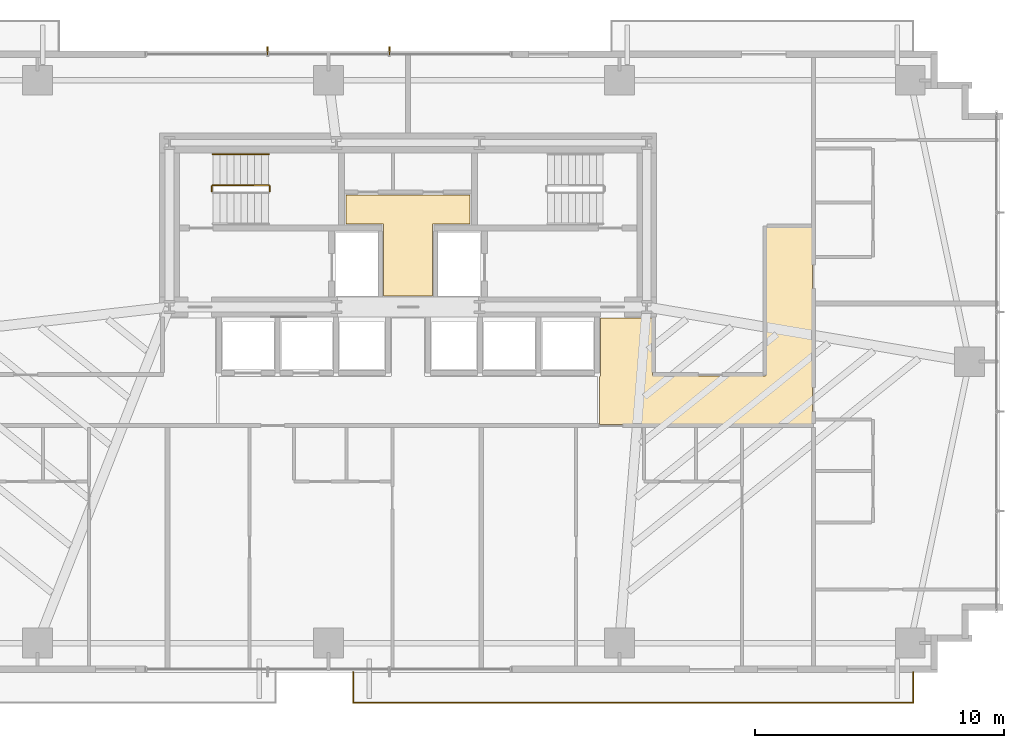
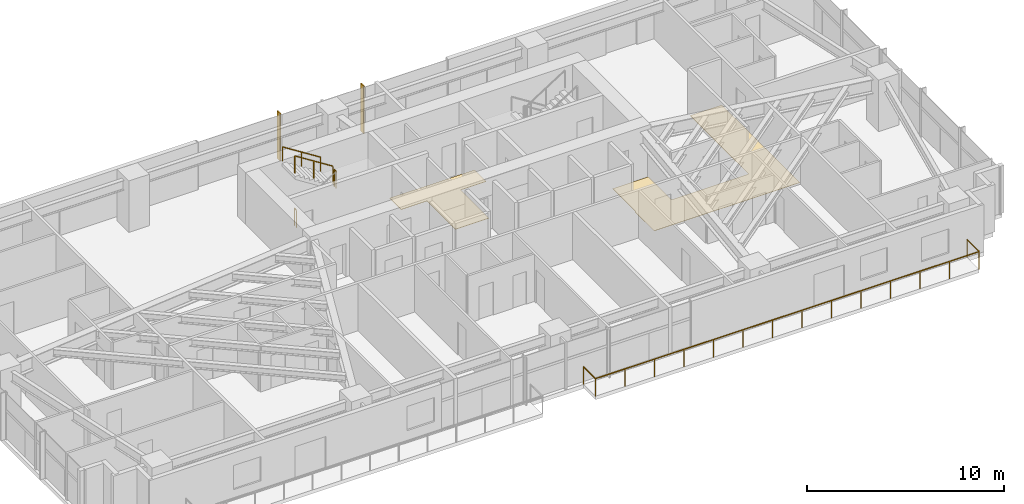
# One storey, part 24 of 25: 5 railings, 2 coverings, 2 shading devices.
"""IFC4 building model written with IfcOpenShell, lengths in metres."""

from ifc_helpers import new_model, si_unit, direction, frame, origin, origin_2d, place, context, subcontext, project, spatial, polyline, rectangle, outline, extrude, source, transform, mapped, material, layer, layer_set, type_object, type_shapes, element, save


model = new_model("IFC4")

# Units and contexts
model_context = context("Model", 3, precision=1e-05, world=origin(), true_north=direction((0.0, 1.0)))
body_context = subcontext(model_context, "Body", "Model", "MODEL_VIEW")
ifc_project = project(units=[si_unit("LENGTHUNIT", "METRE"), si_unit("AREAUNIT", "SQUARE_METRE"), si_unit("VOLUMEUNIT", "CUBIC_METRE"), si_unit("PLANEANGLEUNIT", "RADIAN"), si_unit("MASSUNIT", "GRAM", prefix="KILO")], contexts=[model_context])

# Site, building, storey
site_placement = place(None, origin())
site = spatial("IfcSite", under=ifc_project, at=site_placement, CompositionType="ELEMENT")
building_placement = place(site_placement, origin())
building = spatial("IfcBuilding", under=site, at=building_placement, Name="Astriad Promenade Condominiums", CompositionType="ELEMENT")
storey_placement = place(building_placement, frame((0.0, 0.0, 45.39990234375)))
storey = spatial("IfcBuildingStorey", under=building, at=storey_placement, Name="L12", CompositionType="ELEMENT", Elevation=45.39990234375)

# Coverings
ifc_material_1 = material(Name="Polished Lakefront Terrazzo Flooring")
ifc_layer = layer(ifc_material_1, 0.02001953125)
ifc_layer_set = layer_set([ifc_layer], Name="Polished Lakefront Terrazzo Flooring")
covering_type = type_object("IfcCoveringType", Name="COV-FLOR-TERRAZZO-20", PredefinedType="FLOORING", material=ifc_layer_set)
covering_1_placement = place(storey_placement, origin())
element("IfcCovering", 1, at=covering_1_placement, inside=storey, type_object=covering_type, Name="FLR-L12-CSL", PredefinedType="FLOORING", context=body_context, shape_type="SweptSolid", body=[
    extrude(outline(polyline([(36.97998046875, 20.699951171875), (36.97998046875, 17.840087890625), (35.02001953125, 17.840087890625), (35.02001953125, 20.699951171875), (35.019775390625, 20.703857421875), (35.019287109375, 20.707763671875), (35.018310546875, 20.711669921875), (35.01708984375, 20.71533203125), (35.015380859375, 20.718994140625), (35.01318359375, 20.72216796875), (35.010986328125, 20.725341796875), (35.00830078125, 20.728271484375), (35.00537109375, 20.73095703125), (35.002197265625, 20.7333984375), (34.998779296875, 20.7353515625), (34.995361328125, 20.737060546875), (34.99169921875, 20.73828125), (34.98779296875, 20.7392578125), (34.98388671875, 20.73974609375), (34.97998046875, 20.739990234375), (33.5, 20.739990234375), (33.5, 21.909912109375), (38.5, 21.909912109375), (38.5, 20.739990234375), (37.02001953125, 20.739990234375), (37.01611328125, 20.73974609375), (37.01220703125, 20.7392578125), (37.00830078125, 20.73828125), (37.004638671875, 20.737060546875), (37.001220703125, 20.7353515625), (36.997802734375, 20.7333984375), (36.99462890625, 20.73095703125), (36.99169921875, 20.728271484375), (36.989013671875, 20.725341796875), (36.98681640625, 20.72216796875), (36.984619140625, 20.718994140625), (36.98291015625, 20.71533203125), (36.981689453125, 20.711669921875), (36.980712890625, 20.707763671875), (36.980224609375, 20.703857421875), (36.97998046875, 20.699951171875)])), origin(), (0.0, 0.0, 1.0), 0.02001953125),
])
covering_2_placement = place(storey_placement, origin())
element("IfcCovering", 2, at=covering_2_placement, inside=storey, type_object=covering_type, Name="FLR-L12-COR-1", PredefinedType="FLOORING", context=body_context, shape_type="SweptSolid", body=[
    extrude(outline(polyline([(43.699951171875, 12.669921875), (43.699951171875, 14.610107421875), (43.703857421875, 14.610107421875), (43.707763671875, 14.61083984375), (43.711669921875, 14.61181640625), (43.71533203125, 14.613037109375), (43.718994140625, 14.61474609375), (43.72216796875, 14.61669921875), (43.725341796875, 14.619140625), (43.728271484375, 14.62158203125), (43.73095703125, 14.62451171875), (43.7333984375, 14.627685546875), (43.7353515625, 14.631103515625), (43.737060546875, 14.634765625), (43.73828125, 14.638427734375), (43.7392578125, 14.64208984375), (43.73974609375, 14.64599609375), (43.739990234375, 14.64990234375), (43.739990234375, 16.9599609375), (45.840087890625, 16.9599609375), (45.840087890625, 14.659912109375), (45.840087890625, 14.656005859375), (45.8408203125, 14.652099609375), (45.841796875, 14.6484375), (45.843017578125, 14.644775390625), (45.8447265625, 14.64111328125), (45.8466796875, 14.6376953125), (45.84912109375, 14.634521484375), (45.851806640625, 14.631591796875), (45.8544921875, 14.629150390625), (45.85791015625, 14.626708984375), (45.861083984375, 14.624755859375), (45.86474609375, 14.623046875), (45.868408203125, 14.62158203125), (45.872314453125, 14.620849609375), (45.876220703125, 14.6201171875), (45.8798828125, 14.6201171875), (50.35009765625, 14.6201171875), (50.35400390625, 14.6201171875), (50.35791015625, 14.620849609375), (50.361572265625, 14.62158203125), (50.365234375, 14.623046875), (50.368896484375, 14.624755859375), (50.372314453125, 14.626708984375), (50.37548828125, 14.629150390625), (50.37841796875, 14.631591796875), (50.380859375, 14.634521484375), (50.38330078125, 14.6376953125), (50.38525390625, 14.64111328125), (50.386962890625, 14.644775390625), (50.38818359375, 14.6484375), (50.38916015625, 14.652099609375), (50.389892578125, 14.656005859375), (50.389892578125, 14.659912109375), (50.389892578125, 20.610107421875), (52.260009765625, 20.610107421875), (52.260009765625, 12.669921875), (43.699951171875, 12.669921875)])), origin(), (0.0, 0.0, 1.0), 0.02001953125),
])

# Shading devices
ifc_material_2 = material(Name="Anodised aluminium 6063-T6 Black Fin", Category="aluminium")
shading_device_type = type_object("IfcShadingDeviceType", Name="FIN-BLACK-320", PredefinedType="USERDEFINED", material=ifc_material_2)
shared_shape_1 = source(origin(), body_context, "Body", "SweptSolid", [
    extrude(rectangle(XDim=0.06494140625, YDim=0.320068359375, at=origin_2d()), origin(), (0.0, 0.0, 1.0), 2.93994140625),
])
type_shapes(shading_device_type, [shared_shape_1])
for number, where, z_axis, x_axis, name in (
    (3, (30.35009765625, 27.7099609375, 0.000244140625), (0.0, 0.0, 1.0), (1.0, 0.0, 0.0), "CW-L12-N-FIN-01"),
    (4, (35.25, 27.7099609375, 0.000244140625), (0.0, 0.0, 1.0), (1.0, 0.0, 0.0), "CW-L12-N-FIN-02"),
):
    element("IfcShadingDevice", number, at=place(storey_placement, frame(where, z_axis=z_axis, x_axis=x_axis)), inside=storey, type_object=shading_device_type, Name=name, ObjectType="FIN", PredefinedType="USERDEFINED", context=body_context, shape_type="MappedRepresentation", body=[
        mapped(shared_shape_1, transform((0.0, 0.0, 0.0), scale=1.0)),
    ])

# Railings
ifc_material_3 = material(Name="Laminated Glass and Stainless Steel Balustrade", Category="steel")
railing_type_1 = type_object("IfcRailingType", Name="GRD-BALC-1120", PredefinedType="BALUSTRADE", material=ifc_material_3)
shared_shape_2 = source(origin(), body_context, "Body", "SweptSolid", [
    extrude(rectangle(XDim=0.048095703125, YDim=0.048095703125, at=origin_2d()), frame((0.0, 0.0, 1.09619140625), z_axis=(0.0, -1.0, 0.0), x_axis=(1.0, 0.0, 0.0)), (0.0, 0.0, 1.0), 1.219970703125),
    extrude(rectangle(XDim=0.048095703125, YDim=0.048095703125, at=origin_2d()), frame((0.0, -1.219970703125, 1.09619140625), z_axis=(1.0, 0.0, 0.0), x_axis=(0.0, 1.0, 0.0)), (0.0, 0.0, 1.0), 22.529052734375),
    extrude(rectangle(XDim=0.048095703125, YDim=0.048095703125, at=origin_2d()), frame((22.529052734375, -1.219970703125, 1.09619140625), z_axis=(0.0, 1.0, 0.0), x_axis=(-1.0, 0.0, 0.0)), (0.0, 0.0, 1.0), 1.219970703125),
    extrude(rectangle(XDim=0.0419921875, YDim=0.0419921875, at=origin_2d()), origin(), (0.0, 0.0, 1.0), 1.072021484375),
    extrude(rectangle(XDim=0.0419921875, YDim=0.0419921875, at=origin_2d()), frame((0.0, -1.219970703125, 0.0)), (0.0, 0.0, 1.0), 1.072021484375),
    extrude(rectangle(XDim=0.0419921875, YDim=0.0419921875, at=origin_2d()), frame((1.73291015625, -1.219970703125, 0.0)), (0.0, 0.0, 1.0), 1.072021484375),
    extrude(rectangle(XDim=0.0419921875, YDim=0.0419921875, at=origin_2d()), frame((3.466064453125, -1.219970703125, 0.0)), (0.0, 0.0, 1.0), 1.072021484375),
    extrude(rectangle(XDim=0.0419921875, YDim=0.0419921875, at=origin_2d()), frame((5.198974609375, -1.219970703125, 0.0)), (0.0, 0.0, 1.0), 1.072021484375),
    extrude(rectangle(XDim=0.0419921875, YDim=0.0419921875, at=origin_2d()), frame((6.93212890625, -1.219970703125, 0.0)), (0.0, 0.0, 1.0), 1.072021484375),
    extrude(rectangle(XDim=0.0419921875, YDim=0.0419921875, at=origin_2d()), frame((8.6650390625, -1.219970703125, 0.0)), (0.0, 0.0, 1.0), 1.072021484375),
    extrude(rectangle(XDim=0.0419921875, YDim=0.0419921875, at=origin_2d()), frame((10.39794921875, -1.219970703125, 0.0)), (0.0, 0.0, 1.0), 1.072021484375),
    extrude(rectangle(XDim=0.0419921875, YDim=0.0419921875, at=origin_2d()), frame((12.131103515625, -1.219970703125, 0.0)), (0.0, 0.0, 1.0), 1.072021484375),
    extrude(rectangle(XDim=0.0419921875, YDim=0.0419921875, at=origin_2d()), frame((13.864013671875, -1.219970703125, 0.0)), (0.0, 0.0, 1.0), 1.072021484375),
    extrude(rectangle(XDim=0.0419921875, YDim=0.0419921875, at=origin_2d()), frame((15.596923828125, -1.219970703125, 0.0)), (0.0, 0.0, 1.0), 1.072021484375),
    extrude(rectangle(XDim=0.0419921875, YDim=0.0419921875, at=origin_2d()), frame((17.330078125, -1.219970703125, 0.0)), (0.0, 0.0, 1.0), 1.072021484375),
    extrude(rectangle(XDim=0.0419921875, YDim=0.0419921875, at=origin_2d()), frame((19.06298828125, -1.219970703125, 0.0)), (0.0, 0.0, 1.0), 1.072021484375),
    extrude(rectangle(XDim=0.0419921875, YDim=0.0419921875, at=origin_2d()), frame((20.796142578125, -1.219970703125, 0.0)), (0.0, 0.0, 1.0), 1.072021484375),
    extrude(rectangle(XDim=0.0419921875, YDim=0.0419921875, at=origin_2d()), frame((22.529052734375, -1.219970703125, 0.0)), (0.0, 0.0, 1.0), 1.072021484375),
    extrude(rectangle(XDim=0.0419921875, YDim=0.0419921875, at=origin_2d()), frame((22.529052734375, 0.0, 0.0)), (0.0, 0.0, 1.0), 1.072021484375),
])
type_shapes(railing_type_1, [shared_shape_2])
railing_1_placement = place(storey_placement, frame((33.7939453125, 2.699951171875, 0.0)))
element("IfcRailing", 5, at=railing_1_placement, inside=storey, type_object=railing_type_1, Name="GRD-BALC-L12-SE", PredefinedType="BALUSTRADE", context=body_context, shape_type="MappedRepresentation", body=[
    mapped(shared_shape_2, transform((0.0, 0.0, 0.0), scale=1.0)),
])
ifc_material_4 = material(Name="Painted Galvanised Steel Guardrail", Category="steel")
railing_type_2 = type_object("IfcRailingType", Name="GRD-STAIR-1100", PredefinedType="GUARDRAIL", material=ifc_material_4)
shared_shape_3 = source(origin(), body_context, "Body", "SweptSolid", [
    extrude(rectangle(XDim=0.048095703125, YDim=0.048095703125, at=origin_2d()), frame((0.0, 0.0, 1.076171875), z_axis=(0.0, 1.0, 0.0), x_axis=(-1.0, 0.0, 0.0)), (0.0, 0.0, 1.0), 0.199951171875),
    extrude(rectangle(XDim=0.0419921875, YDim=0.0419921875, at=origin_2d()), origin(), (0.0, 0.0, 1.0), 1.052001953125),
    extrude(rectangle(XDim=0.0419921875, YDim=0.0419921875, at=origin_2d()), frame((0.0, 0.199951171875, 0.0)), (0.0, 0.0, 1.0), 1.052001953125),
])
for number, where, name in (
    (6, (30.43994140625, 22.050048828125, 1.60009765625), "L12 ST-1 stair guard 2"),
    (7, (28.10009765625, 22.050048828125, 0.0), "L12 ST-1 stair guard 4"),
):
    element("IfcRailing", number, at=place(storey_placement, frame(where)), inside=storey, type_object=railing_type_2, Name=name, PredefinedType="GUARDRAIL", context=body_context, shape_type="MappedRepresentation", body=[
        mapped(shared_shape_3, transform((0.0, 0.0, 0.0), scale=1.0)),
    ])
shared_shape_4 = source(origin(), body_context, "Body", "SweptSolid", [
    extrude(rectangle(XDim=0.048095703125, YDim=0.048095703125, at=origin_2d()), frame((0.0, 0.0, 1.076171875), z_axis=(-0.84418770128, 0.0, 0.536047689118), x_axis=(0.0, -1.0, 0.0)), (0.0, 0.0, 1.0), 2.6533203125),
    extrude(rectangle(XDim=0.0419921875, YDim=0.0419921875, at=origin_2d()), origin(), (0.0, 0.0, 1.0), 1.052001953125),
    extrude(rectangle(XDim=0.0419921875, YDim=0.0419921875, at=origin_2d()), frame((-1.1201171875, 0.0, 0.711181640625)), (0.0, 0.0, 1.0), 1.052001953125),
    extrude(rectangle(XDim=0.0419921875, YDim=0.0419921875, at=origin_2d()), frame((-2.239990234375, 0.0, 1.42236328125)), (0.0, 0.0, 1.0), 1.052001953125),
])
type_shapes(railing_type_2, [shared_shape_3, shared_shape_4])
railing_2_placement = place(storey_placement, frame((30.389892578125, 22.300048828125, 1.77783203125)))
element("IfcRailing", 8, at=railing_2_placement, inside=storey, type_object=railing_type_2, Name="L12 ST-1 stair guard 3", PredefinedType="GUARDRAIL", context=body_context, shape_type="MappedRepresentation", body=[
    mapped(shared_shape_4, transform((0.0, 0.0, 0.0), scale=1.0)),
])
ifc_material_5 = material(Name="Brushed Stainless Steel Handrail", Category="steel")
railing_type_3 = type_object("IfcRailingType", Name="HRL-STAIR-920", PredefinedType="HANDRAIL", material=ifc_material_5)
shared_shape_5 = source(origin(), body_context, "Body", "SweptSolid", [
    extrude(rectangle(XDim=0.048095703125, YDim=0.048095703125, at=origin_2d()), frame((0.0, 0.0, 0.8759765625), z_axis=(-0.84418770128, 0.0, 0.536047689118), x_axis=(0.0, -1.0, 0.0)), (0.0, 0.0, 1.0), 2.6533203125),
    extrude(rectangle(XDim=0.0419921875, YDim=0.0419921875, at=origin_2d()), origin(), (0.0, 0.0, 1.0), 0.851806640625),
    extrude(rectangle(XDim=0.0419921875, YDim=0.0419921875, at=origin_2d()), frame((-1.1201171875, 0.0, 0.711181640625)), (0.0, 0.0, 1.0), 0.851806640625),
    extrude(rectangle(XDim=0.0419921875, YDim=0.0419921875, at=origin_2d()), frame((-2.239990234375, 0.0, 1.42236328125)), (0.0, 0.0, 1.0), 0.851806640625),
])
type_shapes(railing_type_3, [shared_shape_5])
railing_3_placement = place(storey_placement, frame((30.389892578125, 23.550048828125, 1.77783203125)))
element("IfcRailing", 9, at=railing_3_placement, inside=storey, type_object=railing_type_3, Name="L12 ST-1 stair handrail 2", PredefinedType="HANDRAIL", context=body_context, shape_type="MappedRepresentation", body=[
    mapped(shared_shape_5, transform((0.0, 0.0, 0.0), scale=1.0)),
])

save(model, "model.ifc")
